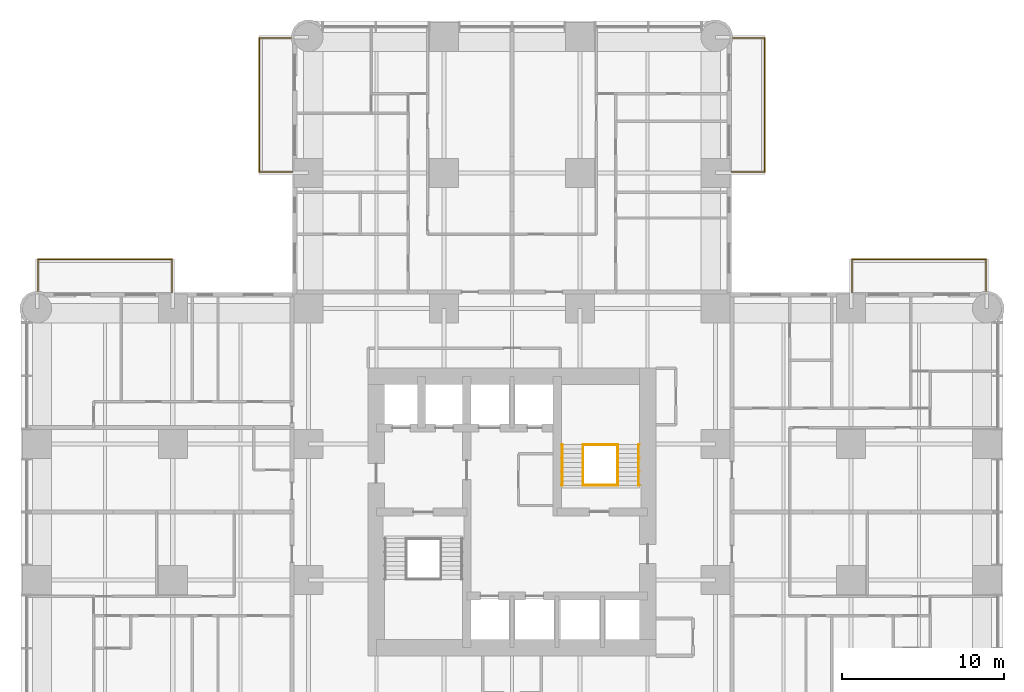
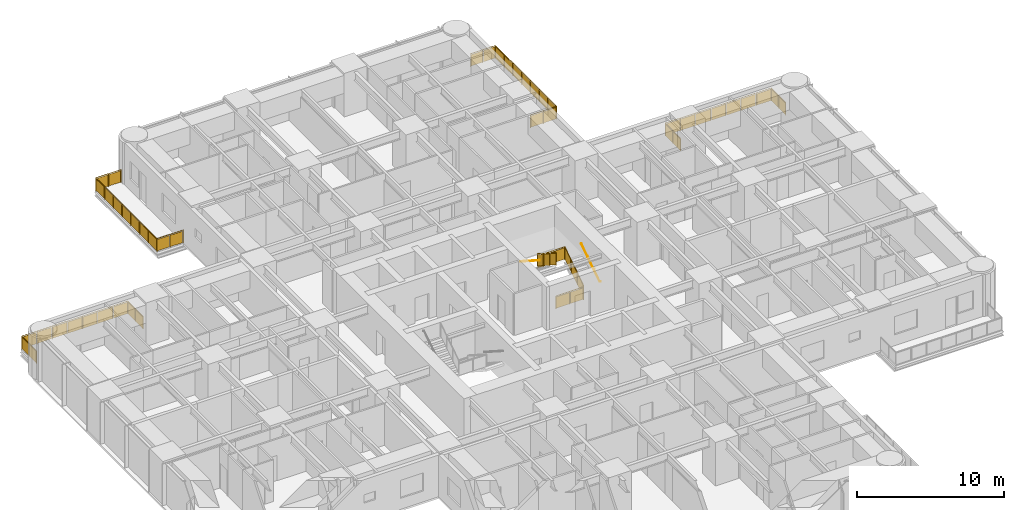
# One storey, part 17 of 17: 10 railings.
"""IFC4 building model written with IfcOpenShell, lengths in metres."""

from ifc_helpers import new_model, si_unit, direction, frame, origin, origin_2d, place, context, subcontext, project, spatial, polyline, circle, outline, extrude, material, constituent, constituent_set, type_object, element, save


model = new_model("IFC4")

# Units and contexts
model_context = context("Model", 3, precision=1e-05, world=origin(), true_north=direction((0.0, 1.0)))
body_context = subcontext(model_context, "Body", "Model", "MODEL_VIEW")
ifc_project = project(units=[si_unit("LENGTHUNIT", "METRE"), si_unit("AREAUNIT", "SQUARE_METRE"), si_unit("VOLUMEUNIT", "CUBIC_METRE"), si_unit("PLANEANGLEUNIT", "RADIAN"), si_unit("MASSUNIT", "GRAM", prefix="KILO")], contexts=[model_context])

# Site, building, storey
site_placement = place(None, origin())
site = spatial("IfcSite", under=ifc_project, at=site_placement, CompositionType="ELEMENT")
building_placement = place(site_placement, origin())
building = spatial("IfcBuilding", under=site, at=building_placement, Name="Torre Alcanfor", CompositionType="ELEMENT")
storey_placement = place(building_placement, frame((0.0, 0.0, 41.699951171875)))
storey = spatial("IfcBuildingStorey", under=building, at=storey_placement, Name="L09", CompositionType="ELEMENT", Elevation=41.699951171875)

# Railings
ifc_material_1 = material(Name="Laminated safety glass", Category="glass")
ifc_constituent_1 = constituent(ifc_material_1, Name="Infill")
ifc_material_2 = material(Name="Stainless steel ASTM A554 Grade MT 316L tube", Category="steel")
ifc_constituent_2 = constituent(ifc_material_2, Name="Posts and rail")
ifc_constituent_set = constituent_set(constituents=[ifc_constituent_1, ifc_constituent_2], Name="Balcony guard glass 1100")
railing_type_1 = type_object("IfcRailingType", Name="Balcony guard glass 1100", PredefinedType="BALUSTRADE", material=ifc_constituent_set)
railing_1_placement = place(storey_placement, frame((15.800048828125, 50.449951171875, 0.0)))
element("IfcRailing", 1, at=railing_1_placement, inside=storey, type_object=railing_type_1, Name="Balcony guard L09-N1", PredefinedType="BALUSTRADE", context=body_context, shape_type="SweptSolid", body=[
    extrude(circle(Radius=0.02392578125, at=origin_2d()), frame((0.0, 0.0, 1.076171875), z_axis=(-1.0, 0.0, 0.0), x_axis=(0.0, -1.0, 0.0)), (0.0, 0.0, 1.0), 2.050048828125),
    extrude(circle(Radius=0.02392578125, at=origin_2d()), frame((-2.050048828125, 0.0, 1.076171875), z_axis=(0.0, 1.0, 0.0), x_axis=(-1.0, 0.0, 0.0)), (0.0, 0.0, 1.0), 8.300048828125),
    extrude(circle(Radius=0.02392578125, at=origin_2d()), frame((-2.050048828125, 8.300048828125, 1.076171875), z_axis=(1.0, 0.0, 0.0), x_axis=(0.0, 1.0, 0.0)), (0.0, 0.0, 1.0), 1.968994140625),
    extrude(circle(Radius=0.02099609375, at=origin_2d()), origin(), (0.0, 0.0, 1.0), 1.052001953125),
    extrude(circle(Radius=0.02099609375, at=origin_2d()), frame((-1.02490234375, 0.0, 0.0)), (0.0, 0.0, 1.0), 1.052001953125),
    extrude(circle(Radius=0.02099609375, at=origin_2d()), frame((-2.050048828125, 0.0, 0.0)), (0.0, 0.0, 1.0), 1.052001953125),
    extrude(circle(Radius=0.02099609375, at=origin_2d()), frame((-2.050048828125, 1.185791015625, 0.0)), (0.0, 0.0, 1.0), 1.052001953125),
    extrude(circle(Radius=0.02099609375, at=origin_2d()), frame((-2.050048828125, 2.371337890625, 0.0)), (0.0, 0.0, 1.0), 1.052001953125),
    extrude(circle(Radius=0.02099609375, at=origin_2d()), frame((-2.050048828125, 3.55712890625, 0.0)), (0.0, 0.0, 1.0), 1.052001953125),
    extrude(circle(Radius=0.02099609375, at=origin_2d()), frame((-2.050048828125, 4.742919921875, 0.0)), (0.0, 0.0, 1.0), 1.052001953125),
    extrude(circle(Radius=0.02099609375, at=origin_2d()), frame((-2.050048828125, 5.9287109375, 0.0)), (0.0, 0.0, 1.0), 1.052001953125),
    extrude(circle(Radius=0.02099609375, at=origin_2d()), frame((-2.050048828125, 7.1142578125, 0.0)), (0.0, 0.0, 1.0), 1.052001953125),
    extrude(circle(Radius=0.02099609375, at=origin_2d()), frame((-2.050048828125, 8.300048828125, 0.0)), (0.0, 0.0, 1.0), 1.052001953125),
    extrude(circle(Radius=0.02099609375, at=origin_2d()), frame((-1.0654296875, 8.300048828125, 0.0)), (0.0, 0.0, 1.0), 1.052001953125),
    extrude(circle(Radius=0.02099609375, at=origin_2d()), frame((-0.0810546875, 8.300048828125, 0.0)), (0.0, 0.0, 1.0), 1.052001953125),
    extrude(outline(polyline([(0.041015625, 0.050048828125), (0.984130859375, 0.050048828125), (0.984130859375, 1.001953125), (0.041015625, 1.001953125), (0.041015625, 0.050048828125)])), frame((0.0, -0.005859375, 0.0), z_axis=(0.0, 1.0, 0.0), x_axis=(-1.0, 0.0, 0.0)), (0.0, 0.0, 1.0), 0.011962890625),
    extrude(outline(polyline([(1.06591796875, 0.050048828125), (2.009033203125, 0.050048828125), (2.009033203125, 1.001953125), (1.06591796875, 1.001953125), (1.06591796875, 0.050048828125)])), frame((0.0, -0.005859375, 0.0), z_axis=(0.0, 1.0, 0.0), x_axis=(-1.0, 0.0, 0.0)), (0.0, 0.0, 1.0), 0.011962890625),
    extrude(outline(polyline([(0.041015625, 0.050048828125), (1.144775390625, 0.050048828125), (1.144775390625, 1.001953125), (0.041015625, 1.001953125), (0.041015625, 0.050048828125)])), frame((-2.05615234375, 0.0, 0.0), z_axis=(1.0, 0.0, 0.0), x_axis=(0.0, 1.0, 0.0)), (0.0, 0.0, 1.0), 0.011962890625),
    extrude(outline(polyline([(1.226806640625, 0.050048828125), (2.330322265625, 0.050048828125), (2.330322265625, 1.001953125), (1.226806640625, 1.001953125), (1.226806640625, 0.050048828125)])), frame((-2.05615234375, 0.0, 0.0), z_axis=(1.0, 0.0, 0.0), x_axis=(0.0, 1.0, 0.0)), (0.0, 0.0, 1.0), 0.011962890625),
    extrude(outline(polyline([(2.412353515625, 0.050048828125), (3.51611328125, 0.050048828125), (3.51611328125, 1.001953125), (2.412353515625, 1.001953125), (2.412353515625, 0.050048828125)])), frame((-2.05615234375, 0.0, 0.0), z_axis=(1.0, 0.0, 0.0), x_axis=(0.0, 1.0, 0.0)), (0.0, 0.0, 1.0), 0.011962890625),
    extrude(outline(polyline([(3.59814453125, 0.050048828125), (4.701904296875, 0.050048828125), (4.701904296875, 1.001953125), (3.59814453125, 1.001953125), (3.59814453125, 0.050048828125)])), frame((-2.05615234375, 0.0, 0.0), z_axis=(1.0, 0.0, 0.0), x_axis=(0.0, 1.0, 0.0)), (0.0, 0.0, 1.0), 0.011962890625),
    extrude(outline(polyline([(4.783935546875, 0.050048828125), (5.8876953125, 0.050048828125), (5.8876953125, 1.001953125), (4.783935546875, 1.001953125), (4.783935546875, 0.050048828125)])), frame((-2.05615234375, 0.0, 0.0), z_axis=(1.0, 0.0, 0.0), x_axis=(0.0, 1.0, 0.0)), (0.0, 0.0, 1.0), 0.011962890625),
    extrude(outline(polyline([(5.9697265625, 0.050048828125), (7.0732421875, 0.050048828125), (7.0732421875, 1.001953125), (5.9697265625, 1.001953125), (5.9697265625, 0.050048828125)])), frame((-2.05615234375, 0.0, 0.0), z_axis=(1.0, 0.0, 0.0), x_axis=(0.0, 1.0, 0.0)), (0.0, 0.0, 1.0), 0.011962890625),
    extrude(outline(polyline([(7.1552734375, 0.050048828125), (8.259033203125, 0.050048828125), (8.259033203125, 1.001953125), (7.1552734375, 1.001953125), (7.1552734375, 0.050048828125)])), frame((-2.05615234375, 0.0, 0.0), z_axis=(1.0, 0.0, 0.0), x_axis=(0.0, 1.0, 0.0)), (0.0, 0.0, 1.0), 0.011962890625),
    extrude(outline(polyline([(0.041015625, 0.050048828125), (0.943603515625, 0.050048828125), (0.943603515625, 1.001953125), (0.041015625, 1.001953125), (0.041015625, 0.050048828125)])), frame((-2.050048828125, 8.30615234375, 0.0), z_axis=(0.0, -1.0, 0.0), x_axis=(1.0, 0.0, 0.0)), (0.0, 0.0, 1.0), 0.011962890625),
    extrude(outline(polyline([(1.025390625, 0.050048828125), (1.927978515625, 0.050048828125), (1.927978515625, 1.001953125), (1.025390625, 1.001953125), (1.025390625, 0.050048828125)])), frame((-2.050048828125, 8.30615234375, 0.0), z_axis=(0.0, -1.0, 0.0), x_axis=(1.0, 0.0, 0.0)), (0.0, 0.0, 1.0), 0.011962890625),
])
railing_2_placement = place(storey_placement, frame((43.0, 50.449951171875, 0.0)))
element("IfcRailing", 2, at=railing_2_placement, inside=storey, type_object=railing_type_1, Name="Balcony guard L09-N2", PredefinedType="BALUSTRADE", context=body_context, shape_type="SweptSolid", body=[
    extrude(circle(Radius=0.02392578125, at=origin_2d()), frame((0.0, 0.0, 1.076171875), z_axis=(1.0, 0.0, 0.0), x_axis=(0.0, 1.0, 0.0)), (0.0, 0.0, 1.0), 2.050048828125),
    extrude(circle(Radius=0.02392578125, at=origin_2d()), frame((2.050048828125, 0.0, 1.076171875), z_axis=(0.0, 1.0, 0.0), x_axis=(-1.0, 0.0, 0.0)), (0.0, 0.0, 1.0), 8.300048828125),
    extrude(circle(Radius=0.02392578125, at=origin_2d()), frame((2.050048828125, 8.300048828125, 1.076171875), z_axis=(-1.0, 0.0, 0.0), x_axis=(0.0, -1.0, 0.0)), (0.0, 0.0, 1.0), 1.968994140625),
    extrude(circle(Radius=0.02099609375, at=origin_2d()), origin(), (0.0, 0.0, 1.0), 1.052001953125),
    extrude(circle(Radius=0.02099609375, at=origin_2d()), frame((1.02490234375, 0.0, 0.0)), (0.0, 0.0, 1.0), 1.052001953125),
    extrude(circle(Radius=0.02099609375, at=origin_2d()), frame((2.050048828125, 0.0, 0.0)), (0.0, 0.0, 1.0), 1.052001953125),
    extrude(circle(Radius=0.02099609375, at=origin_2d()), frame((2.050048828125, 1.185791015625, 0.0)), (0.0, 0.0, 1.0), 1.052001953125),
    extrude(circle(Radius=0.02099609375, at=origin_2d()), frame((2.050048828125, 2.371337890625, 0.0)), (0.0, 0.0, 1.0), 1.052001953125),
    extrude(circle(Radius=0.02099609375, at=origin_2d()), frame((2.050048828125, 3.55712890625, 0.0)), (0.0, 0.0, 1.0), 1.052001953125),
    extrude(circle(Radius=0.02099609375, at=origin_2d()), frame((2.050048828125, 4.742919921875, 0.0)), (0.0, 0.0, 1.0), 1.052001953125),
    extrude(circle(Radius=0.02099609375, at=origin_2d()), frame((2.050048828125, 5.9287109375, 0.0)), (0.0, 0.0, 1.0), 1.052001953125),
    extrude(circle(Radius=0.02099609375, at=origin_2d()), frame((2.050048828125, 7.1142578125, 0.0)), (0.0, 0.0, 1.0), 1.052001953125),
    extrude(circle(Radius=0.02099609375, at=origin_2d()), frame((2.050048828125, 8.300048828125, 0.0)), (0.0, 0.0, 1.0), 1.052001953125),
    extrude(circle(Radius=0.02099609375, at=origin_2d()), frame((1.0654296875, 8.300048828125, 0.0)), (0.0, 0.0, 1.0), 1.052001953125),
    extrude(circle(Radius=0.02099609375, at=origin_2d()), frame((0.0810546875, 8.300048828125, 0.0)), (0.0, 0.0, 1.0), 1.052001953125),
    extrude(outline(polyline([(0.041015625, 0.050048828125), (0.984130859375, 0.050048828125), (0.984130859375, 1.001953125), (0.041015625, 1.001953125), (0.041015625, 0.050048828125)])), frame((0.0, 0.005859375, 0.0), z_axis=(0.0, -1.0, 0.0), x_axis=(1.0, 0.0, 0.0)), (0.0, 0.0, 1.0), 0.011962890625),
    extrude(outline(polyline([(1.06591796875, 0.050048828125), (2.009033203125, 0.050048828125), (2.009033203125, 1.001953125), (1.06591796875, 1.001953125), (1.06591796875, 0.050048828125)])), frame((0.0, 0.005859375, 0.0), z_axis=(0.0, -1.0, 0.0), x_axis=(1.0, 0.0, 0.0)), (0.0, 0.0, 1.0), 0.011962890625),
    extrude(outline(polyline([(0.041015625, 0.050048828125), (1.144775390625, 0.050048828125), (1.144775390625, 1.001953125), (0.041015625, 1.001953125), (0.041015625, 0.050048828125)])), frame((2.0439453125, 0.0, 0.0), z_axis=(1.0, 0.0, 0.0), x_axis=(0.0, 1.0, 0.0)), (0.0, 0.0, 1.0), 0.011962890625),
    extrude(outline(polyline([(1.226806640625, 0.050048828125), (2.330322265625, 0.050048828125), (2.330322265625, 1.001953125), (1.226806640625, 1.001953125), (1.226806640625, 0.050048828125)])), frame((2.0439453125, 0.0, 0.0), z_axis=(1.0, 0.0, 0.0), x_axis=(0.0, 1.0, 0.0)), (0.0, 0.0, 1.0), 0.011962890625),
    extrude(outline(polyline([(2.412353515625, 0.050048828125), (3.51611328125, 0.050048828125), (3.51611328125, 1.001953125), (2.412353515625, 1.001953125), (2.412353515625, 0.050048828125)])), frame((2.0439453125, 0.0, 0.0), z_axis=(1.0, 0.0, 0.0), x_axis=(0.0, 1.0, 0.0)), (0.0, 0.0, 1.0), 0.011962890625),
    extrude(outline(polyline([(3.59814453125, 0.050048828125), (4.701904296875, 0.050048828125), (4.701904296875, 1.001953125), (3.59814453125, 1.001953125), (3.59814453125, 0.050048828125)])), frame((2.0439453125, 0.0, 0.0), z_axis=(1.0, 0.0, 0.0), x_axis=(0.0, 1.0, 0.0)), (0.0, 0.0, 1.0), 0.011962890625),
    extrude(outline(polyline([(4.783935546875, 0.050048828125), (5.8876953125, 0.050048828125), (5.8876953125, 1.001953125), (4.783935546875, 1.001953125), (4.783935546875, 0.050048828125)])), frame((2.0439453125, 0.0, 0.0), z_axis=(1.0, 0.0, 0.0), x_axis=(0.0, 1.0, 0.0)), (0.0, 0.0, 1.0), 0.011962890625),
    extrude(outline(polyline([(5.9697265625, 0.050048828125), (7.0732421875, 0.050048828125), (7.0732421875, 1.001953125), (5.9697265625, 1.001953125), (5.9697265625, 0.050048828125)])), frame((2.0439453125, 0.0, 0.0), z_axis=(1.0, 0.0, 0.0), x_axis=(0.0, 1.0, 0.0)), (0.0, 0.0, 1.0), 0.011962890625),
    extrude(outline(polyline([(7.1552734375, 0.050048828125), (8.259033203125, 0.050048828125), (8.259033203125, 1.001953125), (7.1552734375, 1.001953125), (7.1552734375, 0.050048828125)])), frame((2.0439453125, 0.0, 0.0), z_axis=(1.0, 0.0, 0.0), x_axis=(0.0, 1.0, 0.0)), (0.0, 0.0, 1.0), 0.011962890625),
    extrude(outline(polyline([(0.041015625, 0.050048828125), (0.943603515625, 0.050048828125), (0.943603515625, 1.001953125), (0.041015625, 1.001953125), (0.041015625, 0.050048828125)])), frame((2.050048828125, 8.2939453125, 0.0), z_axis=(0.0, 1.0, 0.0), x_axis=(-1.0, 0.0, 0.0)), (0.0, 0.0, 1.0), 0.011962890625),
    extrude(outline(polyline([(1.025390625, 0.050048828125), (1.927978515625, 0.050048828125), (1.927978515625, 1.001953125), (1.025390625, 1.001953125), (1.025390625, 0.050048828125)])), frame((2.050048828125, 8.2939453125, 0.0), z_axis=(0.0, 1.0, 0.0), x_axis=(-1.0, 0.0, 0.0)), (0.0, 0.0, 1.0), 0.011962890625),
])
railing_3_placement = place(storey_placement, frame((50.449951171875, 43.0, 0.0)))
element("IfcRailing", 3, at=railing_3_placement, inside=storey, type_object=railing_type_1, Name="Balcony guard L09-E1", PredefinedType="BALUSTRADE", context=body_context, shape_type="SweptSolid", body=[
    extrude(circle(Radius=0.02392578125, at=origin_2d()), frame((0.0, 0.0, 1.076171875), z_axis=(0.0, 1.0, 0.0), x_axis=(-1.0, 0.0, 0.0)), (0.0, 0.0, 1.0), 2.050048828125),
    extrude(circle(Radius=0.02392578125, at=origin_2d()), frame((0.0, 2.050048828125, 1.076171875), z_axis=(1.0, 0.0, 0.0), x_axis=(0.0, 1.0, 0.0)), (0.0, 0.0, 1.0), 8.300048828125),
    extrude(circle(Radius=0.02392578125, at=origin_2d()), frame((8.300048828125, 2.050048828125, 1.076171875), z_axis=(0.0, -1.0, 0.0), x_axis=(1.0, 0.0, 0.0)), (0.0, 0.0, 1.0), 1.968994140625),
    extrude(circle(Radius=0.02099609375, at=origin_2d()), origin(), (0.0, 0.0, 1.0), 1.052001953125),
    extrude(circle(Radius=0.02099609375, at=origin_2d()), frame((0.0, 1.02490234375, 0.0)), (0.0, 0.0, 1.0), 1.052001953125),
    extrude(circle(Radius=0.02099609375, at=origin_2d()), frame((0.0, 2.050048828125, 0.0)), (0.0, 0.0, 1.0), 1.052001953125),
    extrude(circle(Radius=0.02099609375, at=origin_2d()), frame((1.185791015625, 2.050048828125, 0.0)), (0.0, 0.0, 1.0), 1.052001953125),
    extrude(circle(Radius=0.02099609375, at=origin_2d()), frame((2.371337890625, 2.050048828125, 0.0)), (0.0, 0.0, 1.0), 1.052001953125),
    extrude(circle(Radius=0.02099609375, at=origin_2d()), frame((3.55712890625, 2.050048828125, 0.0)), (0.0, 0.0, 1.0), 1.052001953125),
    extrude(circle(Radius=0.02099609375, at=origin_2d()), frame((4.742919921875, 2.050048828125, 0.0)), (0.0, 0.0, 1.0), 1.052001953125),
    extrude(circle(Radius=0.02099609375, at=origin_2d()), frame((5.9287109375, 2.050048828125, 0.0)), (0.0, 0.0, 1.0), 1.052001953125),
    extrude(circle(Radius=0.02099609375, at=origin_2d()), frame((7.1142578125, 2.050048828125, 0.0)), (0.0, 0.0, 1.0), 1.052001953125),
    extrude(circle(Radius=0.02099609375, at=origin_2d()), frame((8.300048828125, 2.050048828125, 0.0)), (0.0, 0.0, 1.0), 1.052001953125),
    extrude(circle(Radius=0.02099609375, at=origin_2d()), frame((8.300048828125, 1.0654296875, 0.0)), (0.0, 0.0, 1.0), 1.052001953125),
    extrude(circle(Radius=0.02099609375, at=origin_2d()), frame((8.300048828125, 0.0810546875, 0.0)), (0.0, 0.0, 1.0), 1.052001953125),
    extrude(outline(polyline([(0.041015625, 0.050048828125), (0.984130859375, 0.050048828125), (0.984130859375, 1.001953125), (0.041015625, 1.001953125), (0.041015625, 0.050048828125)])), frame((-0.005859375, 0.0, 0.0), z_axis=(1.0, 0.0, 0.0), x_axis=(0.0, 1.0, 0.0)), (0.0, 0.0, 1.0), 0.011962890625),
    extrude(outline(polyline([(1.06591796875, 0.050048828125), (2.009033203125, 0.050048828125), (2.009033203125, 1.001953125), (1.06591796875, 1.001953125), (1.06591796875, 0.050048828125)])), frame((-0.005859375, 0.0, 0.0), z_axis=(1.0, 0.0, 0.0), x_axis=(0.0, 1.0, 0.0)), (0.0, 0.0, 1.0), 0.011962890625),
    extrude(outline(polyline([(0.041015625, 0.050048828125), (1.144775390625, 0.050048828125), (1.144775390625, 1.001953125), (0.041015625, 1.001953125), (0.041015625, 0.050048828125)])), frame((0.0, 2.05615234375, 0.0), z_axis=(0.0, -1.0, 0.0), x_axis=(1.0, 0.0, 0.0)), (0.0, 0.0, 1.0), 0.011962890625),
    extrude(outline(polyline([(1.226806640625, 0.050048828125), (2.330322265625, 0.050048828125), (2.330322265625, 1.001953125), (1.226806640625, 1.001953125), (1.226806640625, 0.050048828125)])), frame((0.0, 2.05615234375, 0.0), z_axis=(0.0, -1.0, 0.0), x_axis=(1.0, 0.0, 0.0)), (0.0, 0.0, 1.0), 0.011962890625),
    extrude(outline(polyline([(2.412353515625, 0.050048828125), (3.51611328125, 0.050048828125), (3.51611328125, 1.001953125), (2.412353515625, 1.001953125), (2.412353515625, 0.050048828125)])), frame((0.0, 2.05615234375, 0.0), z_axis=(0.0, -1.0, 0.0), x_axis=(1.0, 0.0, 0.0)), (0.0, 0.0, 1.0), 0.011962890625),
    extrude(outline(polyline([(3.59814453125, 0.050048828125), (4.701904296875, 0.050048828125), (4.701904296875, 1.001953125), (3.59814453125, 1.001953125), (3.59814453125, 0.050048828125)])), frame((0.0, 2.05615234375, 0.0), z_axis=(0.0, -1.0, 0.0), x_axis=(1.0, 0.0, 0.0)), (0.0, 0.0, 1.0), 0.011962890625),
    extrude(outline(polyline([(4.783935546875, 0.050048828125), (5.8876953125, 0.050048828125), (5.8876953125, 1.001953125), (4.783935546875, 1.001953125), (4.783935546875, 0.050048828125)])), frame((0.0, 2.05615234375, 0.0), z_axis=(0.0, -1.0, 0.0), x_axis=(1.0, 0.0, 0.0)), (0.0, 0.0, 1.0), 0.011962890625),
    extrude(outline(polyline([(5.9697265625, 0.050048828125), (7.0732421875, 0.050048828125), (7.0732421875, 1.001953125), (5.9697265625, 1.001953125), (5.9697265625, 0.050048828125)])), frame((0.0, 2.05615234375, 0.0), z_axis=(0.0, -1.0, 0.0), x_axis=(1.0, 0.0, 0.0)), (0.0, 0.0, 1.0), 0.011962890625),
    extrude(outline(polyline([(7.1552734375, 0.050048828125), (8.259033203125, 0.050048828125), (8.259033203125, 1.001953125), (7.1552734375, 1.001953125), (7.1552734375, 0.050048828125)])), frame((0.0, 2.05615234375, 0.0), z_axis=(0.0, -1.0, 0.0), x_axis=(1.0, 0.0, 0.0)), (0.0, 0.0, 1.0), 0.011962890625),
    extrude(outline(polyline([(0.041015625, 0.050048828125), (0.943603515625, 0.050048828125), (0.943603515625, 1.001953125), (0.041015625, 1.001953125), (0.041015625, 0.050048828125)])), frame((8.30615234375, 2.050048828125, 0.0), z_axis=(-1.0, 0.0, 0.0), x_axis=(0.0, -1.0, 0.0)), (0.0, 0.0, 1.0), 0.011962890625),
    extrude(outline(polyline([(1.025390625, 0.050048828125), (1.927978515625, 0.050048828125), (1.927978515625, 1.001953125), (1.025390625, 1.001953125), (1.025390625, 0.050048828125)])), frame((8.30615234375, 2.050048828125, 0.0), z_axis=(-1.0, 0.0, 0.0), x_axis=(0.0, -1.0, 0.0)), (0.0, 0.0, 1.0), 0.011962890625),
])
railing_4_placement = place(storey_placement, frame((8.35009765625, 43.0, 0.0)))
element("IfcRailing", 4, at=railing_4_placement, inside=storey, type_object=railing_type_1, Name="Balcony guard L09-W2", PredefinedType="BALUSTRADE", context=body_context, shape_type="SweptSolid", body=[
    extrude(circle(Radius=0.02392578125, at=origin_2d()), frame((0.0, 0.0, 1.076171875), z_axis=(0.0, 1.0, 0.0), x_axis=(-1.0, 0.0, 0.0)), (0.0, 0.0, 1.0), 2.050048828125),
    extrude(circle(Radius=0.02392578125, at=origin_2d()), frame((0.0, 2.050048828125, 1.076171875), z_axis=(-1.0, 0.0, 0.0), x_axis=(0.0, -1.0, 0.0)), (0.0, 0.0, 1.0), 8.300048828125),
    extrude(circle(Radius=0.02392578125, at=origin_2d()), frame((-8.300048828125, 2.050048828125, 1.076171875), z_axis=(0.0, -1.0, 0.0), x_axis=(1.0, 0.0, 0.0)), (0.0, 0.0, 1.0), 1.968994140625),
    extrude(circle(Radius=0.02099609375, at=origin_2d()), origin(), (0.0, 0.0, 1.0), 1.052001953125),
    extrude(circle(Radius=0.02099609375, at=origin_2d()), frame((0.0, 1.02490234375, 0.0)), (0.0, 0.0, 1.0), 1.052001953125),
    extrude(circle(Radius=0.02099609375, at=origin_2d()), frame((0.0, 2.050048828125, 0.0)), (0.0, 0.0, 1.0), 1.052001953125),
    extrude(circle(Radius=0.02099609375, at=origin_2d()), frame((-1.185791015625, 2.050048828125, 0.0)), (0.0, 0.0, 1.0), 1.052001953125),
    extrude(circle(Radius=0.02099609375, at=origin_2d()), frame((-2.371337890625, 2.050048828125, 0.0)), (0.0, 0.0, 1.0), 1.052001953125),
    extrude(circle(Radius=0.02099609375, at=origin_2d()), frame((-3.55712890625, 2.050048828125, 0.0)), (0.0, 0.0, 1.0), 1.052001953125),
    extrude(circle(Radius=0.02099609375, at=origin_2d()), frame((-4.742919921875, 2.050048828125, 0.0)), (0.0, 0.0, 1.0), 1.052001953125),
    extrude(circle(Radius=0.02099609375, at=origin_2d()), frame((-5.9287109375, 2.050048828125, 0.0)), (0.0, 0.0, 1.0), 1.052001953125),
    extrude(circle(Radius=0.02099609375, at=origin_2d()), frame((-7.1142578125, 2.050048828125, 0.0)), (0.0, 0.0, 1.0), 1.052001953125),
    extrude(circle(Radius=0.02099609375, at=origin_2d()), frame((-8.300048828125, 2.050048828125, 0.0)), (0.0, 0.0, 1.0), 1.052001953125),
    extrude(circle(Radius=0.02099609375, at=origin_2d()), frame((-8.300048828125, 1.0654296875, 0.0)), (0.0, 0.0, 1.0), 1.052001953125),
    extrude(circle(Radius=0.02099609375, at=origin_2d()), frame((-8.300048828125, 0.0810546875, 0.0)), (0.0, 0.0, 1.0), 1.052001953125),
    extrude(outline(polyline([(0.041015625, 0.050048828125), (0.984130859375, 0.050048828125), (0.984130859375, 1.001953125), (0.041015625, 1.001953125), (0.041015625, 0.050048828125)])), frame((-0.005859375, 0.0, 0.0), z_axis=(1.0, 0.0, 0.0), x_axis=(0.0, 1.0, 0.0)), (0.0, 0.0, 1.0), 0.011962890625),
    extrude(outline(polyline([(1.06591796875, 0.050048828125), (2.009033203125, 0.050048828125), (2.009033203125, 1.001953125), (1.06591796875, 1.001953125), (1.06591796875, 0.050048828125)])), frame((-0.005859375, 0.0, 0.0), z_axis=(1.0, 0.0, 0.0), x_axis=(0.0, 1.0, 0.0)), (0.0, 0.0, 1.0), 0.011962890625),
    extrude(outline(polyline([(0.041015625, 0.050048828125), (1.144775390625, 0.050048828125), (1.144775390625, 1.001953125), (0.041015625, 1.001953125), (0.041015625, 0.050048828125)])), frame((0.0, 2.0439453125, 0.0), z_axis=(0.0, 1.0, 0.0), x_axis=(-1.0, 0.0, 0.0)), (0.0, 0.0, 1.0), 0.011962890625),
    extrude(outline(polyline([(1.226806640625, 0.050048828125), (2.330322265625, 0.050048828125), (2.330322265625, 1.001953125), (1.226806640625, 1.001953125), (1.226806640625, 0.050048828125)])), frame((0.0, 2.0439453125, 0.0), z_axis=(0.0, 1.0, 0.0), x_axis=(-1.0, 0.0, 0.0)), (0.0, 0.0, 1.0), 0.011962890625),
    extrude(outline(polyline([(2.412353515625, 0.050048828125), (3.51611328125, 0.050048828125), (3.51611328125, 1.001953125), (2.412353515625, 1.001953125), (2.412353515625, 0.050048828125)])), frame((0.0, 2.0439453125, 0.0), z_axis=(0.0, 1.0, 0.0), x_axis=(-1.0, 0.0, 0.0)), (0.0, 0.0, 1.0), 0.011962890625),
    extrude(outline(polyline([(3.59814453125, 0.050048828125), (4.701904296875, 0.050048828125), (4.701904296875, 1.001953125), (3.59814453125, 1.001953125), (3.59814453125, 0.050048828125)])), frame((0.0, 2.0439453125, 0.0), z_axis=(0.0, 1.0, 0.0), x_axis=(-1.0, 0.0, 0.0)), (0.0, 0.0, 1.0), 0.011962890625),
    extrude(outline(polyline([(4.783935546875, 0.050048828125), (5.8876953125, 0.050048828125), (5.8876953125, 1.001953125), (4.783935546875, 1.001953125), (4.783935546875, 0.050048828125)])), frame((0.0, 2.0439453125, 0.0), z_axis=(0.0, 1.0, 0.0), x_axis=(-1.0, 0.0, 0.0)), (0.0, 0.0, 1.0), 0.011962890625),
    extrude(outline(polyline([(5.9697265625, 0.050048828125), (7.0732421875, 0.050048828125), (7.0732421875, 1.001953125), (5.9697265625, 1.001953125), (5.9697265625, 0.050048828125)])), frame((0.0, 2.0439453125, 0.0), z_axis=(0.0, 1.0, 0.0), x_axis=(-1.0, 0.0, 0.0)), (0.0, 0.0, 1.0), 0.011962890625),
    extrude(outline(polyline([(7.1552734375, 0.050048828125), (8.259033203125, 0.050048828125), (8.259033203125, 1.001953125), (7.1552734375, 1.001953125), (7.1552734375, 0.050048828125)])), frame((0.0, 2.0439453125, 0.0), z_axis=(0.0, 1.0, 0.0), x_axis=(-1.0, 0.0, 0.0)), (0.0, 0.0, 1.0), 0.011962890625),
    extrude(outline(polyline([(0.041015625, 0.050048828125), (0.943603515625, 0.050048828125), (0.943603515625, 1.001953125), (0.041015625, 1.001953125), (0.041015625, 0.050048828125)])), frame((-8.2939453125, 2.050048828125, 0.0), z_axis=(-1.0, 0.0, 0.0), x_axis=(0.0, -1.0, 0.0)), (0.0, 0.0, 1.0), 0.011962890625),
    extrude(outline(polyline([(1.025390625, 0.050048828125), (1.927978515625, 0.050048828125), (1.927978515625, 1.001953125), (1.025390625, 1.001953125), (1.025390625, 0.050048828125)])), frame((-8.2939453125, 2.050048828125, 0.0), z_axis=(-1.0, 0.0, 0.0), x_axis=(0.0, -1.0, 0.0)), (0.0, 0.0, 1.0), 0.011962890625),
])
ifc_material_3 = material(Name="Steel ASTM A500 Grade C hollow sections", Category="steel")
railing_type_2 = type_object("IfcRailingType", Name="Stair guard and handrail 1100", PredefinedType="GUARDRAIL", material=ifc_material_3)
railing_5_placement = place(storey_placement, frame((35.949951171875, 31.050048828125, 0.179931640625)))
element("IfcRailing", 5, at=railing_5_placement, inside=storey, type_object=railing_type_2, Name="Stair guard S2 L09 flight 1", PredefinedType="GUARDRAIL", context=body_context, shape_type="SweptSolid", body=[
    extrude(circle(Radius=0.02392578125, at=origin_2d()), frame((0.0, 0.0, 1.076171875), z_axis=(0.0, 0.841162588446, 0.540782303519), x_axis=(-1.0, 0.0, 0.0)), (0.0, 0.0, 1.0), 2.995849609375),
    extrude(circle(Radius=0.02099609375, at=origin_2d()), origin(), (0.0, 0.0, 1.0), 1.052001953125),
    extrude(circle(Radius=0.02099609375, at=origin_2d()), frame((0.0, 0.840087890625, 0.5400390625)), (0.0, 0.0, 1.0), 1.052001953125),
    extrude(circle(Radius=0.02099609375, at=origin_2d()), frame((0.0, 1.679931640625, 1.080078125)), (0.0, 0.0, 1.0), 1.052001953125),
    extrude(circle(Radius=0.02099609375, at=origin_2d()), frame((0.0, 2.52001953125, 1.6201171875)), (0.0, 0.0, 1.0), 1.052001953125),
    extrude(outline(polyline([(0.041015625, 0.076416015625), (0.799072265625, 0.563720703125), (0.799072265625, 1.515625), (0.041015625, 1.0283203125), (0.041015625, 0.076416015625)])), frame((-0.005859375, 0.0, 0.0), z_axis=(1.0, 0.0, 0.0), x_axis=(0.0, 1.0, 0.0)), (0.0, 0.0, 1.0), 0.011962890625),
    extrude(outline(polyline([(0.881103515625, 0.616455078125), (1.638916015625, 1.103759765625), (1.638916015625, 2.0556640625), (0.881103515625, 1.568359375), (0.881103515625, 0.616455078125)])), frame((-0.005859375, 0.0, 0.0), z_axis=(1.0, 0.0, 0.0), x_axis=(0.0, 1.0, 0.0)), (0.0, 0.0, 1.0), 0.011962890625),
    extrude(outline(polyline([(1.720947265625, 1.156494140625), (2.47900390625, 1.643798828125), (2.47900390625, 2.595703125), (1.720947265625, 2.1083984375), (1.720947265625, 1.156494140625)])), frame((-0.005859375, 0.0, 0.0), z_axis=(1.0, 0.0, 0.0), x_axis=(0.0, 1.0, 0.0)), (0.0, 0.0, 1.0), 0.011962890625),
])
railing_6_placement = place(storey_placement, frame((33.800048828125, 33.570068359375, 1.97998046875)))
element("IfcRailing", 6, at=railing_6_placement, inside=storey, type_object=railing_type_2, Name="Stair guard S2 L09 flight 2", PredefinedType="GUARDRAIL", context=body_context, shape_type="SweptSolid", body=[
    extrude(circle(Radius=0.02392578125, at=origin_2d()), frame((0.0, 0.0, 1.076171875), z_axis=(0.0, -0.841162588446, 0.540782303519), x_axis=(1.0, 0.0, 0.0)), (0.0, 0.0, 1.0), 2.995849609375),
    extrude(circle(Radius=0.02099609375, at=origin_2d()), origin(), (0.0, 0.0, 1.0), 1.052001953125),
    extrude(circle(Radius=0.02099609375, at=origin_2d()), frame((0.0, -0.840087890625, 0.5400390625)), (0.0, 0.0, 1.0), 1.052001953125),
    extrude(circle(Radius=0.02099609375, at=origin_2d()), frame((0.0, -1.679931640625, 1.080078125)), (0.0, 0.0, 1.0), 1.052001953125),
    extrude(circle(Radius=0.02099609375, at=origin_2d()), frame((0.0, -2.52001953125, 1.6201171875)), (0.0, 0.0, 1.0), 1.052001953125),
    extrude(outline(polyline([(0.041015625, 0.076416015625), (0.799072265625, 0.563720703125), (0.799072265625, 1.515625), (0.041015625, 1.0283203125), (0.041015625, 0.076416015625)])), frame((0.005859375, 0.0, 0.0), z_axis=(-1.0, 0.0, 0.0), x_axis=(0.0, -1.0, 0.0)), (0.0, 0.0, 1.0), 0.011962890625),
    extrude(outline(polyline([(0.881103515625, 0.616455078125), (1.638916015625, 1.103759765625), (1.638916015625, 2.0556640625), (0.881103515625, 1.568359375), (0.881103515625, 0.616455078125)])), frame((0.005859375, 0.0, 0.0), z_axis=(-1.0, 0.0, 0.0), x_axis=(0.0, -1.0, 0.0)), (0.0, 0.0, 1.0), 0.011962890625),
    extrude(outline(polyline([(1.720947265625, 1.156494140625), (2.47900390625, 1.643798828125), (2.47900390625, 2.595703125), (1.720947265625, 2.1083984375), (1.720947265625, 1.156494140625)])), frame((0.005859375, 0.0, 0.0), z_axis=(-1.0, 0.0, 0.0), x_axis=(0.0, -1.0, 0.0)), (0.0, 0.0, 1.0), 0.011962890625),
])
for number, where, name in (
    (7, (33.800048828125, 31.050048828125, 0.0), "Stair well guard S2 L09 floor landing"),
    (8, (33.800048828125, 33.570068359375, 1.800048828125), "Stair well guard S2 L09 half landing"),
):
    element("IfcRailing", number, at=place(storey_placement, frame(where)), inside=storey, type_object=railing_type_2, Name=name, PredefinedType="GUARDRAIL", context=body_context, shape_type="SweptSolid", body=[
        extrude(circle(Radius=0.02392578125, at=origin_2d()), frame((0.0, 0.0, 1.076171875), z_axis=(1.0, 0.0, 0.0), x_axis=(0.0, 1.0, 0.0)), (0.0, 0.0, 1.0), 2.14990234375),
        extrude(circle(Radius=0.02099609375, at=origin_2d()), origin(), (0.0, 0.0, 1.0), 1.052001953125),
        extrude(circle(Radius=0.02099609375, at=origin_2d()), frame((1.074951171875, 0.0, 0.0)), (0.0, 0.0, 1.0), 1.052001953125),
        extrude(circle(Radius=0.02099609375, at=origin_2d()), frame((2.14990234375, 0.0, 0.0)), (0.0, 0.0, 1.0), 1.052001953125),
        extrude(outline(polyline([(0.041015625, 0.050048828125), (1.033935546875, 0.050048828125), (1.033935546875, 1.001953125), (0.041015625, 1.001953125), (0.041015625, 0.050048828125)])), frame((0.0, 0.005859375, 0.0), z_axis=(0.0, -1.0, 0.0), x_axis=(1.0, 0.0, 0.0)), (0.0, 0.0, 1.0), 0.011962890625),
        extrude(outline(polyline([(1.115966796875, 0.050048828125), (2.10888671875, 0.050048828125), (2.10888671875, 1.001953125), (1.115966796875, 1.001953125), (1.115966796875, 0.050048828125)])), frame((0.0, 0.005859375, 0.0), z_axis=(0.0, -1.0, 0.0), x_axis=(1.0, 0.0, 0.0)), (0.0, 0.0, 1.0), 0.011962890625),
    ])
ifc_material_4 = material(Name="Steel ASTM A500 Grade C hollow sections", Category="steel")
railing_type_3 = type_object("IfcRailingType", Name="Stair wall handrail 900", PredefinedType="HANDRAIL", material=ifc_material_4)
railing_7_placement = place(storey_placement, frame((37.235107421875, 31.050048828125, 0.179931640625)))
element("IfcRailing", 9, at=railing_7_placement, inside=storey, type_object=railing_type_3, Name="Stair handrail S2 L09 flight 1", PredefinedType="HANDRAIL", context=body_context, shape_type="SweptSolid", body=[
    extrude(circle(Radius=0.02392578125, at=origin_2d()), frame((0.0, 0.0, 0.8759765625), z_axis=(0.0, 0.841162588446, 0.540782303519), x_axis=(-1.0, 0.0, 0.0)), (0.0, 0.0, 1.0), 2.995849609375),
    extrude(circle(Radius=0.008056640625, at=origin_2d()), frame((0.0, 0.0, 0.8759765625), z_axis=(1.0, 0.0, 0.0), x_axis=(0.0, 0.0, 1.0)), (0.0, 0.0, 1.0), 0.06494140625),
    extrude(circle(Radius=0.008056640625, at=origin_2d()), frame((0.0, 0.840087890625, 1.416015625), z_axis=(1.0, 0.0, 0.0), x_axis=(0.0, 0.0, 1.0)), (0.0, 0.0, 1.0), 0.06494140625),
    extrude(circle(Radius=0.008056640625, at=origin_2d()), frame((0.0, 1.679931640625, 1.9560546875), z_axis=(1.0, 0.0, 0.0), x_axis=(0.0, 0.0, 1.0)), (0.0, 0.0, 1.0), 0.06494140625),
    extrude(circle(Radius=0.008056640625, at=origin_2d()), frame((0.0, 2.52001953125, 2.49609375), z_axis=(1.0, 0.0, 0.0), x_axis=(0.0, 0.0, 1.0)), (0.0, 0.0, 1.0), 0.06494140625),
])
railing_8_placement = place(storey_placement, frame((32.514892578125, 33.570068359375, 1.97998046875)))
element("IfcRailing", 10, at=railing_8_placement, inside=storey, type_object=railing_type_3, Name="Stair handrail S2 L09 flight 2", PredefinedType="HANDRAIL", context=body_context, shape_type="SweptSolid", body=[
    extrude(circle(Radius=0.02392578125, at=origin_2d()), frame((0.0, 0.0, 0.8759765625), z_axis=(0.0, -0.841162588446, 0.540782303519), x_axis=(1.0, 0.0, 0.0)), (0.0, 0.0, 1.0), 2.995849609375),
    extrude(circle(Radius=0.008056640625, at=origin_2d()), frame((0.0, 0.0, 0.8759765625), z_axis=(-1.0, 0.0, 0.0), x_axis=(0.0, 0.0, 1.0)), (0.0, 0.0, 1.0), 0.06494140625),
    extrude(circle(Radius=0.008056640625, at=origin_2d()), frame((0.0, -0.840087890625, 1.416015625), z_axis=(-1.0, 0.0, 0.0), x_axis=(0.0, 0.0, 1.0)), (0.0, 0.0, 1.0), 0.06494140625),
    extrude(circle(Radius=0.008056640625, at=origin_2d()), frame((0.0, -1.679931640625, 1.9560546875), z_axis=(-1.0, 0.0, 0.0), x_axis=(0.0, 0.0, 1.0)), (0.0, 0.0, 1.0), 0.06494140625),
    extrude(circle(Radius=0.008056640625, at=origin_2d()), frame((0.0, -2.52001953125, 2.49609375), z_axis=(-1.0, 0.0, 0.0), x_axis=(0.0, 0.0, 1.0)), (0.0, 0.0, 1.0), 0.06494140625),
])

save(model, "model.ifc")
